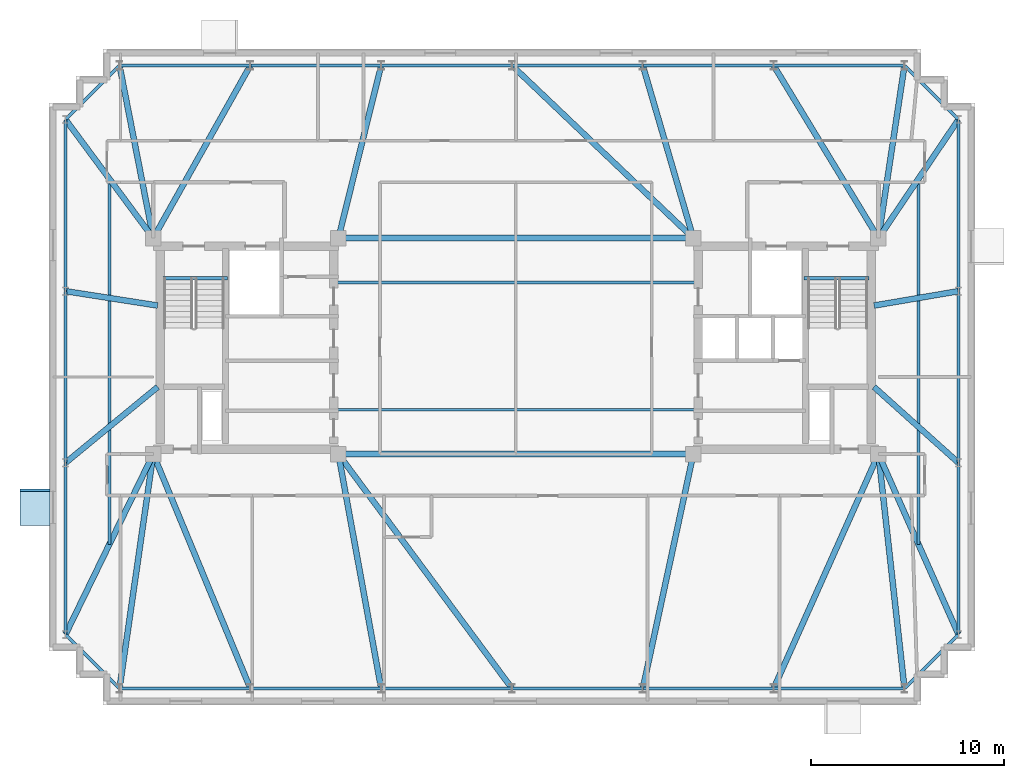
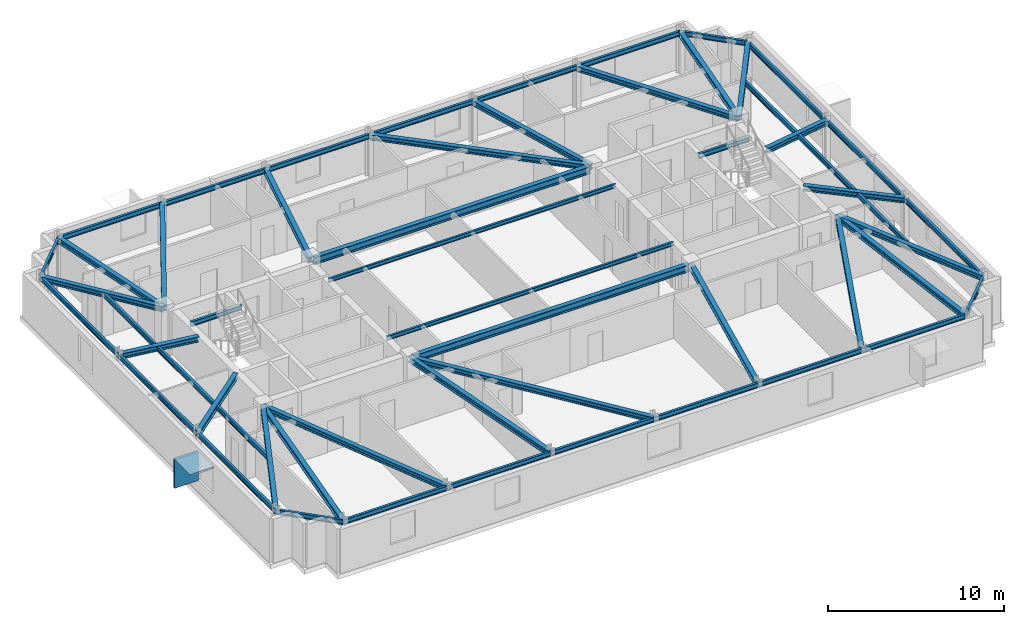
# One storey, part 4 of 10: 52 beams, 2 plates.
"""IFC4 building model written with IfcOpenShell, lengths in metres."""

import ifcopenshell
import ifcopenshell.guid

model = None  # the IFC model being written
_history = None  # IfcOwnerHistory: only IFC2X3 demands one
_inside = {}  # id of a spatial element -> (the spatial element, [elements in it])
_under = {}  # id of a project, library or spatial element -> (it, [spatial elements below it])
_declared = {}  # id of a project -> (the project, [libraries it declares])
_typed = {}  # id of a type object -> (the type object, [elements of that type])
_made_of = {}  # id of a material, layer set ... -> (it, [elements and type objects made of it])


def new_model(schema):
    """Start an empty IFC model of exactly this schema.

    Asked for "IFC4X3", IfcOpenShell would pick the latest addendum, in which some entities
    have other attributes; the version numbers below select the first issue.
    IFC2X3 requires an IfcOwnerHistory on every rooted entity: one is made here for all.
    """
    global model, _history
    if schema == "IFC4X3":
        model = ifcopenshell.file(schema_version=(4, 3, 0, 0))
    else:
        model = ifcopenshell.file(schema=schema)
    _inside.clear()
    _under.clear()
    _declared.clear()
    _typed.clear()
    _made_of.clear()
    _history = None
    if model.schema == "IFC2X3":
        org = make("IfcOrganization", Name="unknown")
        user = make(
            "IfcPersonAndOrganization",
            ThePerson=make("IfcPerson", FamilyName="unknown"),
            TheOrganization=org,
        )
        app = make(
            "IfcApplication",
            ApplicationDeveloper=org,
            Version="unknown",
            ApplicationFullName="unknown",
            ApplicationIdentifier="unknown",
        )
        _history = make(
            "IfcOwnerHistory",
            OwningUser=user,
            OwningApplication=app,
            ChangeAction="ADDED",
            CreationDate=0,
        )
    return model


def make(cls, **values):
    """One entity of the class cls with the attributes given. An attribute that is None is left unset."""
    return model.create_entity(
        cls, **{name: value for name, value in values.items() if value is not None}
    )


def rooted(cls, **values):
    """An entity with a GlobalId (a new one), such as an element, a storey or a relation."""
    return make(cls, GlobalId=ifcopenshell.guid.new(), OwnerHistory=_history, **values)


def si_unit(unit_type, name, prefix=None):
    """IfcSIUnit, for example si_unit("LENGTHUNIT", "METRE", prefix="MILLI")."""
    return make("IfcSIUnit", UnitType=unit_type, Prefix=prefix, Name=name)


def assignment(units):
    """IfcUnitAssignment: the units of a project."""
    return None if units is None else make("IfcUnitAssignment", Units=units)


def point(xyz):
    """IfcCartesianPoint."""
    return None if xyz is None else make("IfcCartesianPoint", Coordinates=xyz)


def direction(xyz):
    """IfcDirection."""
    return None if xyz is None else make("IfcDirection", DirectionRatios=xyz)


def frame(location, z_axis=None, x_axis=None):
    """IfcAxis2Placement3D, a coordinate frame: its origin and axes. An axis left out is left unset."""
    return make(
        "IfcAxis2Placement3D",
        Location=point(location),
        Axis=direction(z_axis),
        RefDirection=direction(x_axis),
    )


def frame_2d(location, x_axis=None):
    """IfcAxis2Placement2D, a coordinate frame in the plane: its origin and x axis."""
    return make(
        "IfcAxis2Placement2D", Location=point(location), RefDirection=direction(x_axis)
    )


def origin():
    """The frame at (0, 0, 0) with its axes left unset."""
    return frame((0.0, 0.0, 0.0))


def origin_2d():
    """The frame at (0, 0) in the plane with its x axis left unset."""
    return frame_2d((0.0, 0.0))


def place(relative_to, where):
    """IfcLocalPlacement: puts the frame where relative to a parent placement (None: the world)."""
    return make(
        "IfcLocalPlacement", PlacementRelTo=relative_to, RelativePlacement=where
    )


def context(
    kind, dimensions, precision=None, world=None, true_north=None, identifier=None
):
    """IfcGeometricRepresentationContext, for example the 3D "Model" context."""
    return make(
        "IfcGeometricRepresentationContext",
        ContextIdentifier=identifier,
        ContextType=kind,
        CoordinateSpaceDimension=dimensions,
        Precision=precision,
        WorldCoordinateSystem=world,
        TrueNorth=true_north,
    )


def subcontext(parent, identifier, kind, view, scale=None):
    """IfcGeometricRepresentationSubContext, for example "Body" below "Model"."""
    return make(
        "IfcGeometricRepresentationSubContext",
        ContextIdentifier=identifier,
        ContextType=kind,
        ParentContext=parent,
        TargetScale=scale,
        TargetView=view,
    )


def project(units=None, contexts=None):
    """IfcProject with its units and contexts."""
    return rooted(
        "IfcProject",
        Name="project",
        RepresentationContexts=contexts,
        UnitsInContext=assignment(units),
    )


def spatial(cls, under=None, at=None, **own):
    """A site, building, storey or space (cls), placed at a placement, below another one or the project."""
    s = rooted(cls, ObjectPlacement=at, **own)
    if under is not None:
        _under.setdefault(under.id(), (under, []))[1].append(s)
    return s


def profile(cls, at=None, kind="AREA", **sizes):
    """A parametric profile (cls). Its sizes go by their IFC names, for example OverallWidth=200.0."""
    return make(cls, ProfileType=kind, Position=at, **sizes)


def rectangle(**sizes):
    """IfcRectangleProfileDef."""
    return profile("IfcRectangleProfileDef", **sizes)


def i_section(**sizes):
    """IfcIShapeProfileDef."""
    return profile("IfcIShapeProfileDef", **sizes)


def extrude(swept, where, along, depth):
    """IfcExtrudedAreaSolid: the profile swept, set in the frame where, extruded along a direction by depth."""
    return make(
        "IfcExtrudedAreaSolid",
        SweptArea=swept,
        Position=where,
        ExtrudedDirection=direction(along),
        Depth=depth,
    )


def shape(context_of_items, identifier, shape_type, items):
    """IfcShapeRepresentation: the items that make up one representation, for example the "Body"."""
    return make(
        "IfcShapeRepresentation",
        ContextOfItems=context_of_items,
        RepresentationIdentifier=identifier,
        RepresentationType=shape_type,
        Items=items,
    )


def material(Name=None, Category=None):
    """IfcMaterial."""
    return make("IfcMaterial", Name=Name, Category=Category)


def layer(
    of_material, thickness, ventilated=None, Name=None, Category=None, Priority=None
):
    """IfcMaterialLayer: one layer of a wall or slab, of a material (None: an air gap)."""
    return make(
        "IfcMaterialLayer",
        Material=of_material,
        LayerThickness=thickness,
        IsVentilated=ventilated,
        Name=Name,
        Category=Category,
        Priority=Priority,
    )


def layer_set(layers, Name=None):
    """IfcMaterialLayerSet."""
    return make("IfcMaterialLayerSet", MaterialLayers=layers, LayerSetName=Name)


def material_profile(
    of_material, cross_section, Name=None, Category=None, Priority=None
):
    """IfcMaterialProfile: a cross section and its material."""
    return make(
        "IfcMaterialProfile",
        Name=Name,
        Material=of_material,
        Profile=cross_section,
        Priority=Priority,
        Category=Category,
    )


def profile_set(profiles, Name=None, composite=None):
    """IfcMaterialProfileSet."""
    return make(
        "IfcMaterialProfileSet",
        Name=Name,
        MaterialProfiles=profiles,
        CompositeProfile=composite,
    )


def made_of(thing, what):
    """Note that an element or type object is made of a material, layer set ...; save() writes the relation."""
    if what is not None:
        _made_of.setdefault(what.id(), (what, []))[1].append(thing)
    return thing


def type_object(cls, material=None, **own):
    """A type object (cls), such as IfcWallType, which elements share."""
    return made_of(rooted(cls, **own), material)


def element(
    cls,
    number,
    at=None,
    inside=None,
    cuts=None,
    type_object=None,
    material=None,
    context=None,
    identifier="Body",
    shape_type=None,
    held_by="IfcProductDefinitionShape",
    body=None,
    shapes=None,
    **own,
):
    """One element of the class cls, such as IfcWall. Its Tag is "e" and its number.

    at: its placement. inside: the storey or other place that contains it. cuts: it is an
    opening in that element (IfcRelVoidsElement). A single representation is given by context,
    identifier, shape_type and body (its items); several are given by shapes. held_by: the class
    of the entity that holds the representations. save() writes the other relations.
    """
    e = rooted(cls, Tag="e%d" % number, ObjectPlacement=at, **own)
    if body is not None:
        shapes = [shape(context, identifier, shape_type, body)]
    if shapes is not None:
        e.Representation = make(held_by, Representations=shapes)
    if inside is not None:
        _inside.setdefault(inside.id(), (inside, []))[1].append(e)
    if cuts is not None:
        rooted(
            "IfcRelVoidsElement", RelatingBuildingElement=cuts, RelatedOpeningElement=e
        )
    if type_object is not None:
        _typed.setdefault(type_object.id(), (type_object, []))[1].append(e)
    return made_of(e, material)


def aggregate(whole, parts):
    """IfcRelAggregates: a whole, such as a stair, and the parts it consists of."""
    return rooted("IfcRelAggregates", RelatingObject=whole, RelatedObjects=parts)


def save(model, path):
    """Write the relations noted so far, then the file.

    IfcRelAggregates (storeys below a building ...), IfcRelContainedInSpatialStructure (elements
    in a storey), IfcRelDefinesByType, IfcRelAssociatesMaterial and IfcRelDeclares: one each for
    every whole, place, type object, material and project.
    """
    for whole, parts in _under.values():
        aggregate(whole, parts)
    for where, things in _inside.values():
        rooted(
            "IfcRelContainedInSpatialStructure",
            RelatedElements=things,
            RelatingStructure=where,
        )
    for kind, things in _typed.values():
        rooted("IfcRelDefinesByType", RelatedObjects=things, RelatingType=kind)
    for what, things in _made_of.values():
        rooted("IfcRelAssociatesMaterial", RelatedObjects=things, RelatingMaterial=what)
    for by, libraries in _declared.values():
        rooted("IfcRelDeclares", RelatingContext=by, RelatedDefinitions=libraries)
    model.write(path)


model = new_model("IFC4")

# Units and contexts
model_context = context("Model", 3, precision=1e-05, world=origin(), true_north=direction((0.0, 1.0)))
body_context = subcontext(model_context, "Body", "Model", "MODEL_VIEW")
ifc_project = project(units=[si_unit("LENGTHUNIT", "METRE"), si_unit("AREAUNIT", "SQUARE_METRE"), si_unit("VOLUMEUNIT", "CUBIC_METRE"), si_unit("PLANEANGLEUNIT", "RADIAN"), si_unit("MASSUNIT", "GRAM", prefix="KILO")], contexts=[model_context])

# Site, building, storey
site_placement = place(None, origin())
site = spatial("IfcSite", under=ifc_project, at=site_placement, CompositionType="ELEMENT")
building_placement = place(site_placement, origin())
building = spatial("IfcBuilding", under=site, at=building_placement, Name="Qobustan Lattice House", CompositionType="ELEMENT")
storey_placement = place(building_placement, frame((0.0, 0.0, 231.64990234375)))
storey = spatial("IfcBuildingStorey", under=building, at=storey_placement, Name="L65", CompositionType="ELEMENT", Elevation=231.64990234375)

# Beams
ifc_material_1 = material(Name="Steel S355", Category="steel")
ifc_material_profile_1 = material_profile(ifc_material_1, i_section(OverallWidth=0.300048828125, OverallDepth=0.5, WebThickness=0.014404296875, FlangeThickness=0.028076171875, FilletRadius=0.027099609375, at=origin_2d()), Name="HEB500")
ifc_profile_set_1 = profile_set([ifc_material_profile_1], Name="Steel S355")
beam_type_1 = type_object("IfcBeamType", Name="BM-CG-HEB500", PredefinedType="USERDEFINED", material=ifc_profile_set_1)
for number, where, z_axis, x_axis, name in (
    (1, (-9.050048828125, -5.60009765625, 2.7900390625), (1.0, 0.0, 0.0), (0.0, 1.0, 0.0), "L65 core spine girder CG-CS"),
    (2, (-9.050048828125, 5.60009765625, 2.7900390625), (1.0, 0.0, 0.0), (0.0, 1.0, 0.0), "L65 core spine girder CG-CN"),
):
    element("IfcBeam", number, at=place(storey_placement, frame(where, z_axis=z_axis, x_axis=x_axis)), inside=storey, type_object=beam_type_1, Name=name, ObjectType="GIRDER", PredefinedType="USERDEFINED", context=body_context, shape_type="SweptSolid", body=[
        extrude(i_section(OverallWidth=0.300048828125, OverallDepth=0.5, WebThickness=0.014404296875, FlangeThickness=0.028076171875, FilletRadius=0.027099609375, at=origin_2d()), origin(), (0.0, 0.0, 1.0), 18.10009765625),
    ])
ifc_material_2 = material(Name="Steel S355", Category="steel")
ifc_material_profile_2 = material_profile(ifc_material_2, i_section(OverallWidth=0.300048828125, OverallDepth=0.360107421875, WebThickness=0.012451171875, FlangeThickness=0.0224609375, FilletRadius=0.027099609375, at=origin_2d()), Name="HEB360")
ifc_profile_set_2 = profile_set([ifc_material_profile_2], Name="Steel S355")
beam_type_2 = type_object("IfcBeamType", Name="BM-FLG-HEB360", PredefinedType="USERDEFINED", material=ifc_profile_set_2)
beam_1_placement = place(storey_placement, frame((-20.54638671875, -17.725341796875, 2.860107421875), z_axis=(0.142545171265, 0.989788297642, 0.0), x_axis=(-0.989788297642, 0.142545171265, 0.0)))
element("IfcBeam", 3, at=beam_1_placement, inside=storey, type_object=beam_type_2, Name="L65 primary floor girder RAD-S1W", ObjectType="GIRDER", PredefinedType="USERDEFINED", context=body_context, shape_type="SweptSolid", body=[
    extrude(i_section(OverallWidth=0.300048828125, OverallDepth=0.360107421875, WebThickness=0.012451171875, FlangeThickness=0.0224609375, FilletRadius=0.027099609375, at=origin_2d()), origin(), (0.0, 0.0, 1.0), 12.225341796875),
])
beam_2_placement = place(storey_placement, frame((-13.7763671875, -17.726806640625, 2.860107421875), z_axis=(-0.38270783551, 0.92386942402, 0.0), x_axis=(-0.92386942402, -0.38270783551, 0.0)))
element("IfcBeam", 4, at=beam_2_placement, inside=storey, type_object=beam_type_2, Name="L65 primary floor girder RAD-S2", ObjectType="GIRDER", PredefinedType="USERDEFINED", context=body_context, shape_type="SweptSolid", body=[
    extrude(i_section(OverallWidth=0.300048828125, OverallDepth=0.360107421875, WebThickness=0.012451171875, FlangeThickness=0.0224609375, FilletRadius=0.027099609375, at=origin_2d()), origin(), (0.0, 0.0, 1.0), 13.10107421875),
])
beam_3_placement = place(storey_placement, frame((-6.98779296875, -17.725341796875, 2.860107421875), z_axis=(-0.179484493831, 0.983760802469, 0.0), x_axis=(-0.983760802469, -0.179484493831, 0.0)))
element("IfcBeam", 5, at=beam_3_placement, inside=storey, type_object=beam_type_2, Name="L65 primary floor girder RAD-S3", ObjectType="GIRDER", PredefinedType="USERDEFINED", context=body_context, shape_type="SweptSolid", body=[
    extrude(i_section(OverallWidth=0.300048828125, OverallDepth=0.360107421875, WebThickness=0.012451171875, FlangeThickness=0.0224609375, FilletRadius=0.027099609375, at=origin_2d()), origin(), (0.0, 0.0, 1.0), 12.300537109375),
])
beam_4_placement = place(storey_placement, frame((-0.21484375, -17.72998046875, 2.860107421875), z_axis=(-0.595225226069, 0.803558915233, 0.0), x_axis=(-0.803558915233, -0.595225226069, 0.0)))
element("IfcBeam", 6, at=beam_4_placement, inside=storey, type_object=beam_type_2, Name="L65 primary floor girder RAD-S4", ObjectType="GIRDER", PredefinedType="USERDEFINED", context=body_context, shape_type="SweptSolid", body=[
    extrude(i_section(OverallWidth=0.300048828125, OverallDepth=0.360107421875, WebThickness=0.012451171875, FlangeThickness=0.0224609375, FilletRadius=0.027099609375, at=origin_2d()), origin(), (0.0, 0.0, 1.0), 15.0703125),
])
beam_5_placement = place(storey_placement, frame((6.588623046875, -17.7255859375, 2.860107421875), z_axis=(0.210523018319, 0.977588900693, 0.0), x_axis=(-0.977588900693, 0.210523018319, 0.0)))
element("IfcBeam", 7, at=beam_5_placement, inside=storey, type_object=beam_type_2, Name="L65 primary floor girder RAD-S5", ObjectType="GIRDER", PredefinedType="USERDEFINED", context=body_context, shape_type="SweptSolid", body=[
    extrude(i_section(OverallWidth=0.300048828125, OverallDepth=0.360107421875, WebThickness=0.012451171875, FlangeThickness=0.0224609375, FilletRadius=0.027099609375, at=origin_2d()), origin(), (0.0, 0.0, 1.0), 12.37841796875),
])
beam_6_placement = place(storey_placement, frame((13.376953125, -17.727294921875, 2.860107421875), z_axis=(0.408219903586, 0.912883623643, 0.0), x_axis=(-0.912883623643, 0.408219903586, 0.0)))
element("IfcBeam", 8, at=beam_6_placement, inside=storey, type_object=beam_type_2, Name="L65 primary floor girder RAD-S6", ObjectType="GIRDER", PredefinedType="USERDEFINED", context=body_context, shape_type="SweptSolid", body=[
    extrude(i_section(OverallWidth=0.300048828125, OverallDepth=0.360107421875, WebThickness=0.012451171875, FlangeThickness=0.0224609375, FilletRadius=0.027099609375, at=origin_2d()), origin(), (0.0, 0.0, 1.0), 13.259521484375),
])
beam_7_placement = place(storey_placement, frame((20.147216796875, -17.72509765625, 2.860107421875), z_axis=(-0.110431526075, 0.993883734674, 0.0), x_axis=(-0.993883734674, -0.110431526075, 0.0)))
element("IfcBeam", 9, at=beam_7_placement, inside=storey, type_object=beam_type_2, Name="L65 primary floor girder RAD-S7E", ObjectType="GIRDER", PredefinedType="USERDEFINED", context=body_context, shape_type="SweptSolid", body=[
    extrude(i_section(OverallWidth=0.300048828125, OverallDepth=0.360107421875, WebThickness=0.012451171875, FlangeThickness=0.0224609375, FilletRadius=0.027099609375, at=origin_2d()), origin(), (0.0, 0.0, 1.0), 12.1748046875),
])
beam_8_placement = place(storey_placement, frame((-20.545166015625, 14.525390625, 2.860107421875), z_axis=(0.191905644581, -0.981413380578, 0.0), x_axis=(0.981413380578, 0.191905644581, 0.0)))
element("IfcBeam", 10, at=beam_8_placement, inside=storey, type_object=beam_type_2, Name="L65 primary floor girder RAD-N7W", ObjectType="GIRDER", PredefinedType="USERDEFINED", context=body_context, shape_type="SweptSolid", body=[
    extrude(i_section(OverallWidth=0.300048828125, OverallDepth=0.360107421875, WebThickness=0.012451171875, FlangeThickness=0.0224609375, FilletRadius=0.027099609375, at=origin_2d()), origin(), (0.0, 0.0, 1.0), 9.0693359375),
])
beam_9_placement = place(storey_placement, frame((-13.779052734375, 14.5283203125, 2.860107421875), z_axis=(-0.490160276962, -0.871632320929, 0.0), x_axis=(0.871632320929, -0.490160276962, 0.0)))
element("IfcBeam", 11, at=beam_9_placement, inside=storey, type_object=beam_type_2, Name="L65 primary floor girder RAD-N6", ObjectType="GIRDER", PredefinedType="USERDEFINED", context=body_context, shape_type="SweptSolid", body=[
    extrude(i_section(OverallWidth=0.300048828125, OverallDepth=0.360107421875, WebThickness=0.012451171875, FlangeThickness=0.0224609375, FilletRadius=0.027099609375, at=origin_2d()), origin(), (0.0, 0.0, 1.0), 10.21826171875),
])
beam_10_placement = place(storey_placement, frame((-6.9892578125, 14.525634765625, 2.860107421875), z_axis=(-0.240430288899, -0.970666408289, 0.0), x_axis=(0.970666408289, -0.240430288899, 0.0)))
element("IfcBeam", 12, at=beam_10_placement, inside=storey, type_object=beam_type_2, Name="L65 primary floor girder RAD-N5", ObjectType="GIRDER", PredefinedType="USERDEFINED", context=body_context, shape_type="SweptSolid", body=[
    extrude(i_section(OverallWidth=0.300048828125, OverallDepth=0.360107421875, WebThickness=0.012451171875, FlangeThickness=0.0224609375, FilletRadius=0.027099609375, at=origin_2d()), origin(), (0.0, 0.0, 1.0), 9.17041015625),
])
beam_11_placement = place(storey_placement, frame((-0.181884765625, 14.53271484375, 2.860107421875), z_axis=(0.724228633775, -0.689559921995, 0.0), x_axis=(0.689559921995, 0.724228633775, 0.0)))
element("IfcBeam", 13, at=beam_11_placement, inside=storey, type_object=beam_type_2, Name="L65 primary floor girder RAD-N4", ObjectType="GIRDER", PredefinedType="USERDEFINED", context=body_context, shape_type="SweptSolid", body=[
    extrude(i_section(OverallWidth=0.300048828125, OverallDepth=0.360107421875, WebThickness=0.012451171875, FlangeThickness=0.0224609375, FilletRadius=0.027099609375, at=origin_2d()), origin(), (0.0, 0.0, 1.0), 12.92919921875),
])
beam_12_placement = place(storey_placement, frame((6.59033203125, 14.52587890625, 2.860107421875), z_axis=(0.28063676088, -0.959814048888, 0.0), x_axis=(0.959814048888, 0.28063676088, 0.0)))
element("IfcBeam", 14, at=beam_12_placement, inside=storey, type_object=beam_type_2, Name="L65 primary floor girder RAD-N3", ObjectType="GIRDER", PredefinedType="USERDEFINED", context=body_context, shape_type="SweptSolid", body=[
    extrude(i_section(OverallWidth=0.300048828125, OverallDepth=0.360107421875, WebThickness=0.012451171875, FlangeThickness=0.0224609375, FilletRadius=0.027099609375, at=origin_2d()), origin(), (0.0, 0.0, 1.0), 9.274658203125),
])
beam_13_placement = place(storey_placement, frame((13.379638671875, 14.528564453125, 2.860107421875), z_axis=(0.518943895492, -0.854808302096, 0.0), x_axis=(0.854808302096, 0.518943895492, 0.0)))
element("IfcBeam", 15, at=beam_13_placement, inside=storey, type_object=beam_type_2, Name="L65 primary floor girder RAD-N2", ObjectType="GIRDER", PredefinedType="USERDEFINED", context=body_context, shape_type="SweptSolid", body=[
    extrude(i_section(OverallWidth=0.300048828125, OverallDepth=0.360107421875, WebThickness=0.012451171875, FlangeThickness=0.0224609375, FilletRadius=0.027099609375, at=origin_2d()), origin(), (0.0, 0.0, 1.0), 10.420166015625),
])
beam_14_placement = place(storey_placement, frame((20.146240234375, 14.525390625, 2.860107421875), z_axis=(-0.149148118249, -0.988814865798, 0.0), x_axis=(0.988814865798, -0.149148118249, 0.0)))
element("IfcBeam", 16, at=beam_14_placement, inside=storey, type_object=beam_type_2, Name="L65 primary floor girder RAD-N1E", ObjectType="GIRDER", PredefinedType="USERDEFINED", context=body_context, shape_type="SweptSolid", body=[
    extrude(i_section(OverallWidth=0.300048828125, OverallDepth=0.360107421875, WebThickness=0.012451171875, FlangeThickness=0.0224609375, FilletRadius=0.027099609375, at=origin_2d()), origin(), (0.0, 0.0, 1.0), 9.001220703125),
])
beam_15_placement = place(storey_placement, frame((-23.335205078125, 11.72998046875, 2.860107421875), z_axis=(0.594754993974, -0.80390702021, 0.0), x_axis=(0.80390702021, 0.594754993974, 0.0)))
element("IfcBeam", 17, at=beam_15_placement, inside=storey, type_object=beam_type_2, Name="L65 primary floor girder RAD-W1", ObjectType="GIRDER", PredefinedType="USERDEFINED", context=body_context, shape_type="SweptSolid", body=[
    extrude(i_section(OverallWidth=0.300048828125, OverallDepth=0.360107421875, WebThickness=0.012451171875, FlangeThickness=0.0224609375, FilletRadius=0.027099609375, at=origin_2d()), origin(), (0.0, 0.0, 1.0), 7.60009765625),
])
beam_16_placement = place(storey_placement, frame((-23.3251953125, 2.84619140625, 2.860107421875), z_axis=(0.988014453876, -0.154361390677, 0.0), x_axis=(0.154361390677, 0.988014453876, 0.0)))
element("IfcBeam", 18, at=beam_16_placement, inside=storey, type_object=beam_type_2, Name="L65 primary floor girder RAD-W2", ObjectType="GIRDER", PredefinedType="USERDEFINED", context=body_context, shape_type="SweptSolid", body=[
    extrude(i_section(OverallWidth=0.300048828125, OverallDepth=0.360107421875, WebThickness=0.012451171875, FlangeThickness=0.0224609375, FilletRadius=0.027099609375, at=origin_2d()), origin(), (0.0, 0.0, 1.0), 4.80810546875),
])
beam_17_placement = place(storey_placement, frame((-23.330810546875, -6.0341796875, 2.860107421875), z_axis=(0.772169041192, 0.635417163621, 0.0), x_axis=(-0.635417163621, 0.772169041192, 0.0)))
element("IfcBeam", 19, at=beam_17_placement, inside=storey, type_object=beam_type_2, Name="L65 primary floor girder RAD-W3", ObjectType="GIRDER", PredefinedType="USERDEFINED", context=body_context, shape_type="SweptSolid", body=[
    extrude(i_section(OverallWidth=0.300048828125, OverallDepth=0.360107421875, WebThickness=0.012451171875, FlangeThickness=0.0224609375, FilletRadius=0.027099609375, at=origin_2d()), origin(), (0.0, 0.0, 1.0), 6.166259765625),
])
beam_18_placement = place(storey_placement, frame((-23.339111328125, -14.927490234375, 2.860107421875), z_axis=(0.437590490598, 0.899174378271, 0.0), x_axis=(-0.899174378271, 0.437590490598, 0.0)))
element("IfcBeam", 20, at=beam_18_placement, inside=storey, type_object=beam_type_2, Name="L65 primary floor girder RAD-W4", ObjectType="GIRDER", PredefinedType="USERDEFINED", context=body_context, shape_type="SweptSolid", body=[
    extrude(i_section(OverallWidth=0.300048828125, OverallDepth=0.360107421875, WebThickness=0.012451171875, FlangeThickness=0.0224609375, FilletRadius=0.027099609375, at=origin_2d()), origin(), (0.0, 0.0, 1.0), 10.348388671875),
])
beam_19_placement = place(storey_placement, frame((22.93603515625, 11.729248046875, 2.860107421875), z_axis=(-0.559355068937, -0.828928167488, 0.0), x_axis=(0.828928167488, -0.559355068937, 0.0)))
element("IfcBeam", 21, at=beam_19_placement, inside=storey, type_object=beam_type_2, Name="L65 primary floor girder RAD-E4", ObjectType="GIRDER", PredefinedType="USERDEFINED", context=body_context, shape_type="SweptSolid", body=[
    extrude(i_section(OverallWidth=0.300048828125, OverallDepth=0.360107421875, WebThickness=0.012451171875, FlangeThickness=0.0224609375, FilletRadius=0.027099609375, at=origin_2d()), origin(), (0.0, 0.0, 1.0), 7.369384765625),
])
beam_20_placement = place(storey_placement, frame((22.92529296875, 2.845703125, 2.860107421875), z_axis=(-0.985786297247, -0.168004095664, 0.0), x_axis=(0.168004095664, -0.985786297247, 0.0)))
element("IfcBeam", 22, at=beam_20_placement, inside=storey, type_object=beam_type_2, Name="L65 primary floor girder RAD-E3", ObjectType="GIRDER", PredefinedType="USERDEFINED", context=body_context, shape_type="SweptSolid", body=[
    extrude(i_section(OverallWidth=0.300048828125, OverallDepth=0.360107421875, WebThickness=0.012451171875, FlangeThickness=0.0224609375, FilletRadius=0.027099609375, at=origin_2d()), origin(), (0.0, 0.0, 1.0), 4.413330078125),
])
beam_21_placement = place(storey_placement, frame((22.931396484375, -6.033203125, 2.860107421875), z_axis=(-0.744142492307, 0.668020921186, 0.0), x_axis=(-0.668020921186, -0.744142492307, 0.0)))
element("IfcBeam", 23, at=beam_21_placement, inside=storey, type_object=beam_type_2, Name="L65 primary floor girder RAD-E2", ObjectType="GIRDER", PredefinedType="USERDEFINED", context=body_context, shape_type="SweptSolid", body=[
    extrude(i_section(OverallWidth=0.300048828125, OverallDepth=0.360107421875, WebThickness=0.012451171875, FlangeThickness=0.0224609375, FilletRadius=0.027099609375, at=origin_2d()), origin(), (0.0, 0.0, 1.0), 5.86279296875),
])
beam_22_placement = place(storey_placement, frame((22.93994140625, -14.927001953125, 2.860107421875), z_axis=(-0.405702269061, 0.914005289306, 0.0), x_axis=(-0.914005289306, -0.405702269061, 0.0)))
element("IfcBeam", 24, at=beam_22_placement, inside=storey, type_object=beam_type_2, Name="L65 primary floor girder RAD-E1", ObjectType="GIRDER", PredefinedType="USERDEFINED", context=body_context, shape_type="SweptSolid", body=[
    extrude(i_section(OverallWidth=0.300048828125, OverallDepth=0.360107421875, WebThickness=0.012451171875, FlangeThickness=0.0224609375, FilletRadius=0.027099609375, at=origin_2d()), origin(), (0.0, 0.0, 1.0), 10.1796875),
])
ifc_material_3 = material(Name="Steel S355", Category="steel")
ifc_material_profile_3 = material_profile(ifc_material_3, i_section(OverallWidth=0.135009765625, OverallDepth=0.27001953125, WebThickness=0.006591796875, FlangeThickness=0.01025390625, FilletRadius=0.014892578125, at=origin_2d()), Name="IPE270")
ifc_profile_set_3 = profile_set([ifc_material_profile_3], Name="Steel S355")
beam_type_3 = type_object("IfcBeamType", Name="BM-JST-IPE270", PredefinedType="JOIST", material=ifc_profile_set_3)
for number, where, z_axis, x_axis, name in (
    (25, (-9.39990234375, -3.300048828125, 2.905029296875), (1.0, 0.0, 0.0), (0.0, 1.0, 0.0), "L65 central span floor joist 1"),
    (26, (-9.39990234375, 3.300048828125, 2.905029296875), (1.0, 0.0, 0.0), (0.0, 1.0, 0.0), "L65 central span floor joist 2"),
):
    element("IfcBeam", number, at=place(storey_placement, frame(where, z_axis=z_axis, x_axis=x_axis)), inside=storey, type_object=beam_type_3, Name=name, PredefinedType="JOIST", context=body_context, shape_type="SweptSolid", body=[
        extrude(i_section(OverallWidth=0.135009765625, OverallDepth=0.27001953125, WebThickness=0.006591796875, FlangeThickness=0.01025390625, FilletRadius=0.014892578125, at=origin_2d()), origin(), (0.0, 0.0, 1.0), 18.7998046875),
    ])
ifc_material_4 = material(Name="Steel S355", Category="steel")
ifc_material_profile_4 = material_profile(ifc_material_4, i_section(OverallWidth=0.159912109375, OverallDepth=0.330078125, WebThickness=0.007568359375, FlangeThickness=0.011474609375, FilletRadius=0.01806640625, at=origin_2d()), Name="IPE330")
ifc_profile_set_4 = profile_set([ifc_material_profile_4], Name="Steel S355")
beam_type_4 = type_object("IfcBeamType", Name="BM-SEC-IPE330", PredefinedType="BEAM", material=ifc_profile_set_4)
for number, where, z_axis, x_axis, name in (
    (27, (-21.074951171875, 8.675048828125, 2.875), (0.0, -1.0, 0.0), (1.0, 0.0, 0.0), "L65 west wing secondary beam"),
    (28, (20.875, 8.675048828125, 2.875), (0.0, -1.0, 0.0), (1.0, 0.0, 0.0), "L65 east wing secondary beam"),
):
    element("IfcBeam", number, at=place(storey_placement, frame(where, z_axis=z_axis, x_axis=x_axis)), inside=storey, type_object=beam_type_4, Name=name, PredefinedType="BEAM", context=body_context, shape_type="SweptSolid", body=[
        extrude(i_section(OverallWidth=0.159912109375, OverallDepth=0.330078125, WebThickness=0.007568359375, FlangeThickness=0.011474609375, FilletRadius=0.01806640625, at=origin_2d()), origin(), (0.0, 0.0, 1.0), 18.949951171875),
    ])
ifc_material_5 = material(Name="Steel S355", Category="steel")
ifc_material_profile_5 = material_profile(ifc_material_5, i_section(OverallWidth=0.159912109375, OverallDepth=0.330078125, WebThickness=0.007568359375, FlangeThickness=0.011474609375, FilletRadius=0.01806640625, at=origin_2d()), Name="IPE330")
ifc_profile_set_5 = profile_set([ifc_material_profile_5], Name="Steel S355")
beam_type_5 = type_object("IfcBeamType", Name="BM-SPD-IPE330", PredefinedType="SPANDREL", material=ifc_profile_set_5)
for number, where, z_axis, x_axis, name in (
    (29, (-18.300048828125, 3.52001953125, 2.875), (1.0, 0.0, 0.0), (0.0, 1.0, 0.0), "L65 west stair landing trimmer beam"),
    (30, (14.949951171875, 3.52001953125, 2.875), (1.0, 0.0, 0.0), (0.0, 1.0, 0.0), "L65 east stair landing trimmer beam"),
):
    element("IfcBeam", number, at=place(storey_placement, frame(where, z_axis=z_axis, x_axis=x_axis)), inside=storey, type_object=beam_type_5, Name=name, PredefinedType="SPANDREL", context=body_context, shape_type="SweptSolid", body=[
        extrude(i_section(OverallWidth=0.159912109375, OverallDepth=0.330078125, WebThickness=0.007568359375, FlangeThickness=0.011474609375, FilletRadius=0.01806640625, at=origin_2d()), origin(), (0.0, 0.0, 1.0), 3.35009765625),
    ])
beam_23_placement = place(storey_placement, frame((-20.52490234375, -17.75, 2.875), z_axis=(1.0, 0.0, 0.0), x_axis=(0.0, 1.0, 0.0)))
element("IfcBeam", 31, at=beam_23_placement, inside=storey, type_object=beam_type_5, Name="L65 perimeter spandrel S1-S2", PredefinedType="SPANDREL", context=body_context, shape_type="SweptSolid", body=[
    extrude(i_section(OverallWidth=0.159912109375, OverallDepth=0.330078125, WebThickness=0.007568359375, FlangeThickness=0.011474609375, FilletRadius=0.01806640625, at=origin_2d()), origin(), (0.0, 0.0, 1.0), 6.733154296875),
])
beam_24_placement = place(storey_placement, frame((-13.74169921875, -17.75, 2.875), z_axis=(1.0, 0.0, 0.0), x_axis=(0.0, 1.0, 0.0)))
element("IfcBeam", 32, at=beam_24_placement, inside=storey, type_object=beam_type_5, Name="L65 perimeter spandrel S2-S3", PredefinedType="SPANDREL", context=body_context, shape_type="SweptSolid", body=[
    extrude(i_section(OverallWidth=0.159912109375, OverallDepth=0.330078125, WebThickness=0.007568359375, FlangeThickness=0.011474609375, FilletRadius=0.01806640625, at=origin_2d()), origin(), (0.0, 0.0, 1.0), 6.7333984375),
])
beam_25_placement = place(storey_placement, frame((-6.958251953125, -17.75, 2.875), z_axis=(1.0, 0.0, 0.0), x_axis=(0.0, 1.0, 0.0)))
element("IfcBeam", 33, at=beam_25_placement, inside=storey, type_object=beam_type_5, Name="L65 perimeter spandrel S3-S4", PredefinedType="SPANDREL", context=body_context, shape_type="SweptSolid", body=[
    extrude(i_section(OverallWidth=0.159912109375, OverallDepth=0.330078125, WebThickness=0.007568359375, FlangeThickness=0.011474609375, FilletRadius=0.01806640625, at=origin_2d()), origin(), (0.0, 0.0, 1.0), 6.733154296875),
])
for number, where, z_axis, x_axis, name in (
    (34, (-0.175048828125, -17.75, 2.875), (1.0, 0.0, 0.0), (0.0, 1.0, 0.0), "L65 perimeter spandrel S4-S5"),
    (35, (6.6083984375, -17.75, 2.875), (1.0, 0.0, 0.0), (0.0, 1.0, 0.0), "L65 perimeter spandrel S5-S6"),
    (36, (13.3916015625, -17.75, 2.875), (1.0, 0.0, 0.0), (0.0, 1.0, 0.0), "L65 perimeter spandrel S6-S7"),
):
    element("IfcBeam", number, at=place(storey_placement, frame(where, z_axis=z_axis, x_axis=x_axis)), inside=storey, type_object=beam_type_5, Name=name, PredefinedType="SPANDREL", context=body_context, shape_type="SweptSolid", body=[
        extrude(i_section(OverallWidth=0.159912109375, OverallDepth=0.330078125, WebThickness=0.007568359375, FlangeThickness=0.011474609375, FilletRadius=0.01806640625, at=origin_2d()), origin(), (0.0, 0.0, 1.0), 6.7333984375),
    ])
beam_26_placement = place(storey_placement, frame((20.167724609375, -17.732421875, 2.875), z_axis=(0.707106781187, 0.707106781187, 0.0), x_axis=(-0.707106781187, 0.707106781187, 0.0)))
element("IfcBeam", 37, at=beam_26_placement, inside=storey, type_object=beam_type_5, Name="L65 perimeter spandrel S7-E1", PredefinedType="SPANDREL", context=body_context, shape_type="SweptSolid", body=[
    extrude(i_section(OverallWidth=0.159912109375, OverallDepth=0.330078125, WebThickness=0.007568359375, FlangeThickness=0.011474609375, FilletRadius=0.01806640625, at=origin_2d()), origin(), (0.0, 0.0, 1.0), 3.909912109375),
])
beam_27_placement = place(storey_placement, frame((22.949951171875, -14.925048828125, 2.875), z_axis=(0.0, 1.0, 0.0), x_axis=(-1.0, 0.0, 0.0)))
element("IfcBeam", 38, at=beam_27_placement, inside=storey, type_object=beam_type_5, Name="L65 perimeter spandrel E1-E2", PredefinedType="SPANDREL", context=body_context, shape_type="SweptSolid", body=[
    extrude(i_section(OverallWidth=0.159912109375, OverallDepth=0.330078125, WebThickness=0.007568359375, FlangeThickness=0.011474609375, FilletRadius=0.01806640625, at=origin_2d()), origin(), (0.0, 0.0, 1.0), 8.85009765625),
])
beam_28_placement = place(storey_placement, frame((22.949951171875, -6.02490234375, 2.875), z_axis=(0.0, 1.0, 0.0), x_axis=(-1.0, 0.0, 0.0)))
element("IfcBeam", 39, at=beam_28_placement, inside=storey, type_object=beam_type_5, Name="L65 perimeter spandrel E2-E3", PredefinedType="SPANDREL", context=body_context, shape_type="SweptSolid", body=[
    extrude(i_section(OverallWidth=0.159912109375, OverallDepth=0.330078125, WebThickness=0.007568359375, FlangeThickness=0.011474609375, FilletRadius=0.01806640625, at=origin_2d()), origin(), (0.0, 0.0, 1.0), 8.849853515625),
])
beam_29_placement = place(storey_placement, frame((22.949951171875, 2.875, 2.875), z_axis=(0.0, 1.0, 0.0), x_axis=(-1.0, 0.0, 0.0)))
element("IfcBeam", 40, at=beam_29_placement, inside=storey, type_object=beam_type_5, Name="L65 perimeter spandrel E3-E4", PredefinedType="SPANDREL", context=body_context, shape_type="SweptSolid", body=[
    extrude(i_section(OverallWidth=0.159912109375, OverallDepth=0.330078125, WebThickness=0.007568359375, FlangeThickness=0.011474609375, FilletRadius=0.01806640625, at=origin_2d()), origin(), (0.0, 0.0, 1.0), 8.85009765625),
])
beam_30_placement = place(storey_placement, frame((22.932373046875, 11.767578125, 2.875), z_axis=(-0.707106781187, 0.707106781187, 0.0), x_axis=(-0.707106781187, -0.707106781187, 0.0)))
element("IfcBeam", 41, at=beam_30_placement, inside=storey, type_object=beam_type_5, Name="L65 perimeter spandrel E4-N1", PredefinedType="SPANDREL", context=body_context, shape_type="SweptSolid", body=[
    extrude(i_section(OverallWidth=0.159912109375, OverallDepth=0.330078125, WebThickness=0.007568359375, FlangeThickness=0.011474609375, FilletRadius=0.01806640625, at=origin_2d()), origin(), (0.0, 0.0, 1.0), 3.909912109375),
])
for number, where, z_axis, x_axis, name in (
    (42, (20.125, 14.550048828125, 2.875), (-1.0, 0.0, 0.0), (0.0, -1.0, 0.0), "L65 perimeter spandrel N1-N2"),
    (43, (13.341796875, 14.550048828125, 2.875), (-1.0, 0.0, 0.0), (0.0, -1.0, 0.0), "L65 perimeter spandrel N2-N3"),
    (44, (6.558349609375, 14.550048828125, 2.875), (-1.0, 0.0, 0.0), (0.0, -1.0, 0.0), "L65 perimeter spandrel N3-N4"),
):
    element("IfcBeam", number, at=place(storey_placement, frame(where, z_axis=z_axis, x_axis=x_axis)), inside=storey, type_object=beam_type_5, Name=name, PredefinedType="SPANDREL", context=body_context, shape_type="SweptSolid", body=[
        extrude(i_section(OverallWidth=0.159912109375, OverallDepth=0.330078125, WebThickness=0.007568359375, FlangeThickness=0.011474609375, FilletRadius=0.01806640625, at=origin_2d()), origin(), (0.0, 0.0, 1.0), 6.7333984375),
    ])
beam_31_placement = place(storey_placement, frame((-0.22509765625, 14.550048828125, 2.875), z_axis=(-1.0, 0.0, 0.0), x_axis=(0.0, -1.0, 0.0)))
element("IfcBeam", 45, at=beam_31_placement, inside=storey, type_object=beam_type_5, Name="L65 perimeter spandrel N4-N5", PredefinedType="SPANDREL", context=body_context, shape_type="SweptSolid", body=[
    extrude(i_section(OverallWidth=0.159912109375, OverallDepth=0.330078125, WebThickness=0.007568359375, FlangeThickness=0.011474609375, FilletRadius=0.01806640625, at=origin_2d()), origin(), (0.0, 0.0, 1.0), 6.733154296875),
])
beam_32_placement = place(storey_placement, frame((-7.00830078125, 14.550048828125, 2.875), z_axis=(-1.0, 0.0, 0.0), x_axis=(0.0, -1.0, 0.0)))
element("IfcBeam", 46, at=beam_32_placement, inside=storey, type_object=beam_type_5, Name="L65 perimeter spandrel N5-N6", PredefinedType="SPANDREL", context=body_context, shape_type="SweptSolid", body=[
    extrude(i_section(OverallWidth=0.159912109375, OverallDepth=0.330078125, WebThickness=0.007568359375, FlangeThickness=0.011474609375, FilletRadius=0.01806640625, at=origin_2d()), origin(), (0.0, 0.0, 1.0), 6.7333984375),
])
beam_33_placement = place(storey_placement, frame((-13.791748046875, 14.550048828125, 2.875), z_axis=(-1.0, 0.0, 0.0), x_axis=(0.0, -1.0, 0.0)))
element("IfcBeam", 47, at=beam_33_placement, inside=storey, type_object=beam_type_5, Name="L65 perimeter spandrel N6-N7", PredefinedType="SPANDREL", context=body_context, shape_type="SweptSolid", body=[
    extrude(i_section(OverallWidth=0.159912109375, OverallDepth=0.330078125, WebThickness=0.007568359375, FlangeThickness=0.011474609375, FilletRadius=0.01806640625, at=origin_2d()), origin(), (0.0, 0.0, 1.0), 6.733154296875),
])
beam_34_placement = place(storey_placement, frame((-20.567626953125, 14.5322265625, 2.875), z_axis=(-0.707106781187, -0.707106781187, 0.0), x_axis=(0.707106781187, -0.707106781187, 0.0)))
element("IfcBeam", 48, at=beam_34_placement, inside=storey, type_object=beam_type_5, Name="L65 perimeter spandrel N7-W1", PredefinedType="SPANDREL", context=body_context, shape_type="SweptSolid", body=[
    extrude(i_section(OverallWidth=0.159912109375, OverallDepth=0.330078125, WebThickness=0.007568359375, FlangeThickness=0.011474609375, FilletRadius=0.01806640625, at=origin_2d()), origin(), (0.0, 0.0, 1.0), 3.909912109375),
])
beam_35_placement = place(storey_placement, frame((-23.35009765625, 11.72509765625, 2.875), z_axis=(0.0, -1.0, 0.0), x_axis=(1.0, 0.0, 0.0)))
element("IfcBeam", 49, at=beam_35_placement, inside=storey, type_object=beam_type_5, Name="L65 perimeter spandrel W1-W2", PredefinedType="SPANDREL", context=body_context, shape_type="SweptSolid", body=[
    extrude(i_section(OverallWidth=0.159912109375, OverallDepth=0.330078125, WebThickness=0.007568359375, FlangeThickness=0.011474609375, FilletRadius=0.01806640625, at=origin_2d()), origin(), (0.0, 0.0, 1.0), 8.85009765625),
])
beam_36_placement = place(storey_placement, frame((-23.35009765625, 2.824951171875, 2.875), z_axis=(0.0, -1.0, 0.0), x_axis=(1.0, 0.0, 0.0)))
element("IfcBeam", 50, at=beam_36_placement, inside=storey, type_object=beam_type_5, Name="L65 perimeter spandrel W2-W3", PredefinedType="SPANDREL", context=body_context, shape_type="SweptSolid", body=[
    extrude(i_section(OverallWidth=0.159912109375, OverallDepth=0.330078125, WebThickness=0.007568359375, FlangeThickness=0.011474609375, FilletRadius=0.01806640625, at=origin_2d()), origin(), (0.0, 0.0, 1.0), 8.849853515625),
])
beam_37_placement = place(storey_placement, frame((-23.35009765625, -6.074951171875, 2.875), z_axis=(0.0, -1.0, 0.0), x_axis=(1.0, 0.0, 0.0)))
element("IfcBeam", 51, at=beam_37_placement, inside=storey, type_object=beam_type_5, Name="L65 perimeter spandrel W3-W4", PredefinedType="SPANDREL", context=body_context, shape_type="SweptSolid", body=[
    extrude(i_section(OverallWidth=0.159912109375, OverallDepth=0.330078125, WebThickness=0.007568359375, FlangeThickness=0.011474609375, FilletRadius=0.01806640625, at=origin_2d()), origin(), (0.0, 0.0, 1.0), 8.85009765625),
])
beam_38_placement = place(storey_placement, frame((-23.332275390625, -14.9677734375, 2.875), z_axis=(0.707106781187, -0.707106781187, 0.0), x_axis=(0.707106781187, 0.707106781187, 0.0)))
element("IfcBeam", 52, at=beam_38_placement, inside=storey, type_object=beam_type_5, Name="L65 perimeter spandrel W4-S1", PredefinedType="SPANDREL", context=body_context, shape_type="SweptSolid", body=[
    extrude(i_section(OverallWidth=0.159912109375, OverallDepth=0.330078125, WebThickness=0.007568359375, FlangeThickness=0.011474609375, FilletRadius=0.01806640625, at=origin_2d()), origin(), (0.0, 0.0, 1.0), 3.909912109375),
])

# Plates
ifc_material_6 = material(Name="Qobustan limestone GFRC", Category="masonry")
ifc_layer = layer(ifc_material_6, 0.1201171875)
ifc_layer_set = layer_set([ifc_layer], Name="Qobustan limestone GFRC")
plate_type = type_object("IfcPlateType", Name="SHD-HOOD-BROW", PredefinedType="USERDEFINED", material=ifc_layer_set)
plate_1_placement = place(storey_placement, frame((-24.929931640625, -8.360107421875, 2.699951171875), z_axis=(0.0, 0.0, 1.0), x_axis=(0.0, 1.0, 0.0)))
element("IfcPlate", 53, at=plate_1_placement, inside=storey, type_object=plate_type, Name="L65 splayed Qobustan stone hood brow", ObjectType="SUNSHADE", PredefinedType="USERDEFINED", context=body_context, shape_type="SweptSolid", body=[
    extrude(rectangle(XDim=1.889892578125, YDim=1.56005859375, at=origin_2d()), origin(), (0.0, 0.0, 1.0), 0.1201171875),
])
plate_2_placement = place(storey_placement, frame((-24.929931640625, -7.47509765625, 0.7900390625), z_axis=(0.0, 0.0, 1.0), x_axis=(0.0, 1.0, 0.0)))
element("IfcPlate", 54, at=plate_2_placement, inside=storey, type_object=plate_type, Name="L65 splayed Qobustan stone hood cheek", ObjectType="SUNSHADE", PredefinedType="USERDEFINED", context=body_context, shape_type="SweptSolid", body=[
    extrude(rectangle(XDim=0.1201171875, YDim=1.56005859375, at=origin_2d()), origin(), (0.0, 0.0, 1.0), 1.969970703125),
])

save(model, "model.ifc")
